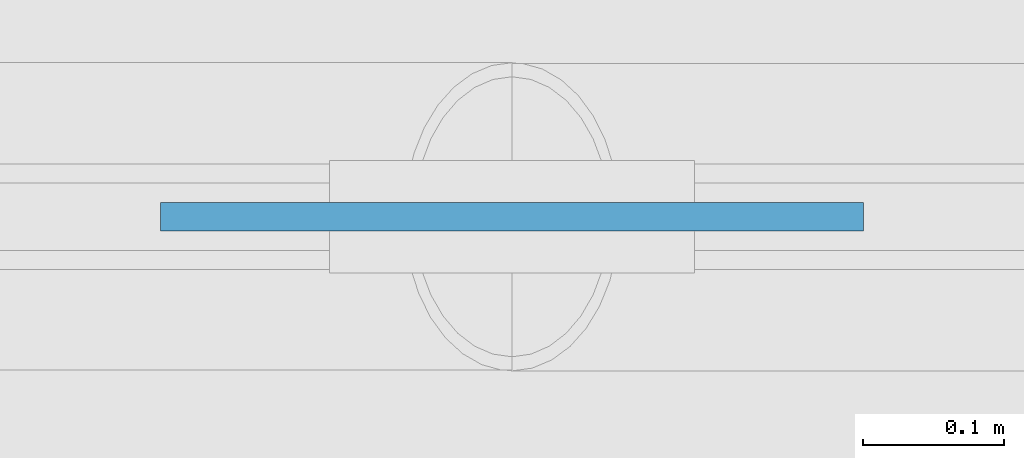
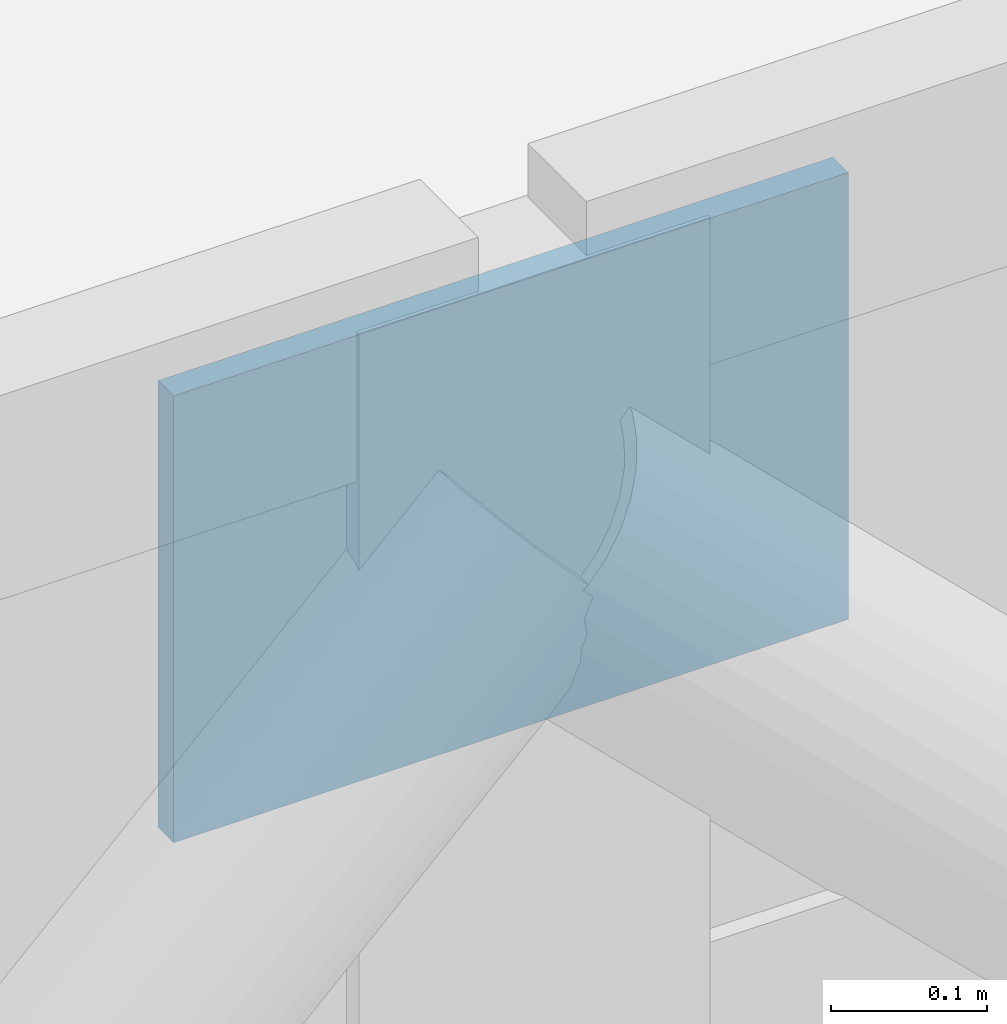
# One storey, part 30 of 57: 1 plate.
"""IFC4 building model written with IfcOpenShell, lengths in metres."""

from ifc_helpers import new_model, si_unit, direction, frame, origin, origin_2d, place, context, subcontext, project, spatial, rectangle, extrude, material, type_object, element, save


model = new_model("IFC4")

# Units and contexts
model_context = context("Model", 3, precision=1e-05, world=origin(), true_north=direction((0.0, 1.0)))
body_context = subcontext(model_context, "Body", "Model", "MODEL_VIEW")
ifc_project = project(units=[si_unit("LENGTHUNIT", "METRE"), si_unit("AREAUNIT", "SQUARE_METRE"), si_unit("VOLUMEUNIT", "CUBIC_METRE"), si_unit("PLANEANGLEUNIT", "RADIAN"), si_unit("MASSUNIT", "GRAM", prefix="KILO")], contexts=[model_context])

# Site, building, storey
site_placement = place(None, origin())
site = spatial("IfcSite", under=ifc_project, at=site_placement, CompositionType="ELEMENT")
building_placement = place(site_placement, origin())
building = spatial("IfcBuilding", under=site, at=building_placement, Name="Valkovuoma Quantum and Materials Research Institute", CompositionType="ELEMENT")
storey_placement = place(building_placement, frame((0.0, 0.0, 4.800048828125)))
storey = spatial("IfcBuildingStorey", under=building, at=storey_placement, Name="L01", CompositionType="ELEMENT", Elevation=4.800048828125)

# Plate
ifc_material = material(Name="Steel S355J2", Category="steel")
plate_type = type_object("IfcPlateType", Name="Plate-PL-SHT1", PredefinedType="SHEET", material=ifc_material)
plate_placement = place(storey_placement, frame((97.199951171875, 36.0, 3.434814453125), z_axis=(0.0, 0.0, 1.0), x_axis=(1.0, 0.0, 0.0)))
element("IfcPlate", 1, at=plate_placement, inside=storey, type_object=plate_type, Name="L01 chevron node sheet plate 06", PredefinedType="SHEET", context=body_context, shape_type="SweptSolid", body=[
    extrude(rectangle(XDim=0.5, YDim=0.02001953125, at=origin_2d()), origin(), (0.0, 0.0, 1.0), 0.35009765625),
])

save(model, "model.ifc")
